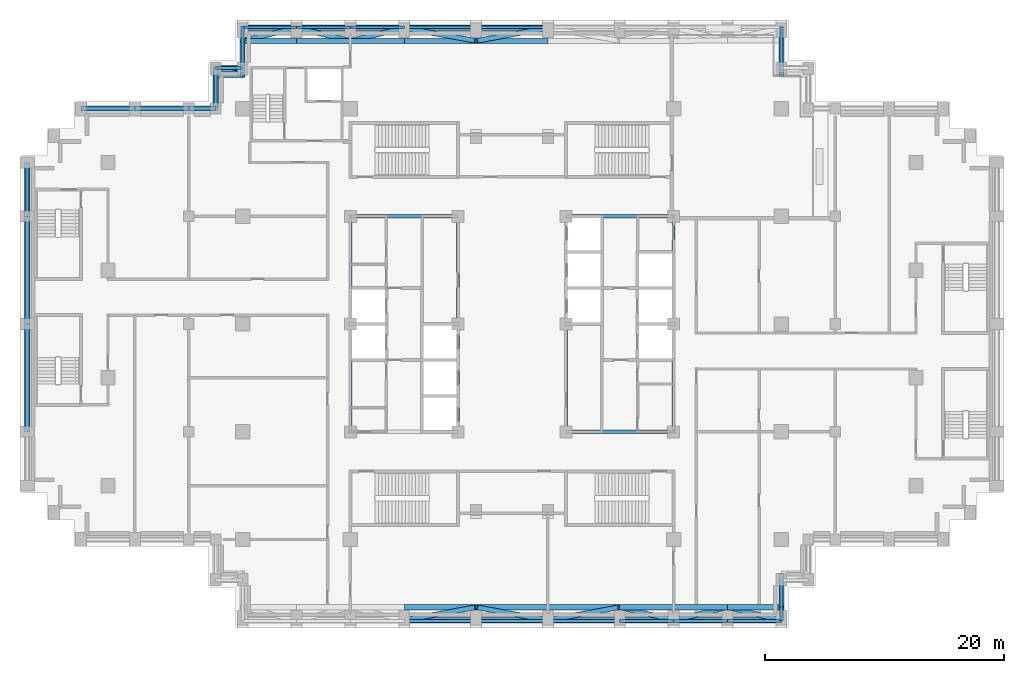
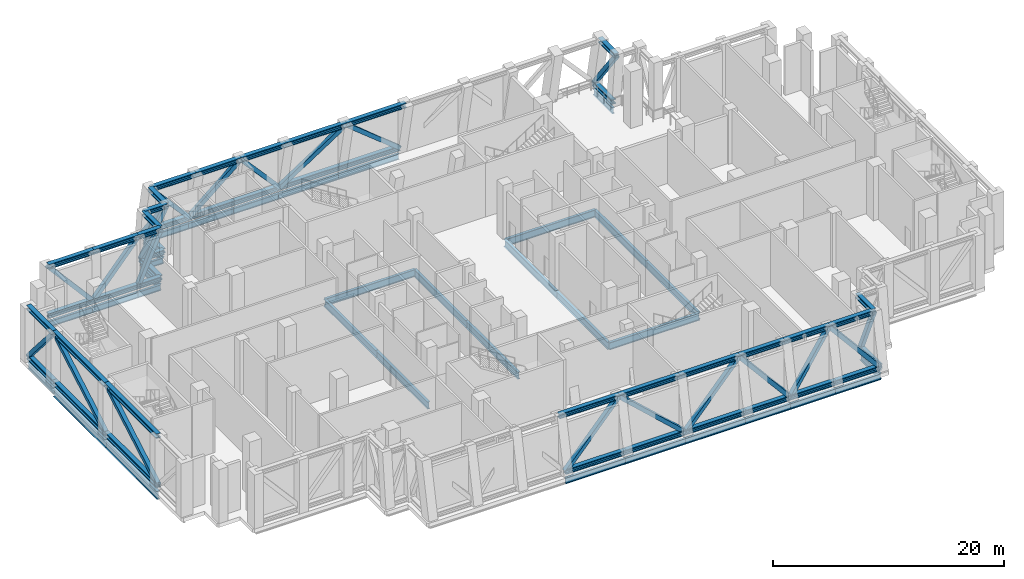
# One storey, part 2 of 14: 66 members, 33 beams.
"""IFC4 building model written with IfcOpenShell, lengths in metres."""

from ifc_helpers import new_model, si_unit, direction, frame, origin, origin_2d, place, context, subcontext, project, spatial, hollow_rectangle, i_section, extrude, material, material_profile, profile_set, type_object, element, save


model = new_model("IFC4")

# Units and contexts
model_context = context("Model", 3, precision=1e-05, world=origin(), true_north=direction((0.0, 1.0)))
body_context = subcontext(model_context, "Body", "Model", "MODEL_VIEW")
ifc_project = project(units=[si_unit("LENGTHUNIT", "METRE"), si_unit("AREAUNIT", "SQUARE_METRE"), si_unit("VOLUMEUNIT", "CUBIC_METRE"), si_unit("PLANEANGLEUNIT", "RADIAN"), si_unit("MASSUNIT", "GRAM", prefix="KILO")], contexts=[model_context])

# Site, building, storey
site_placement = place(None, origin())
site = spatial("IfcSite", under=ifc_project, at=site_placement, CompositionType="ELEMENT")
building_placement = place(site_placement, origin())
building = spatial("IfcBuilding", under=site, at=building_placement, Name="Corbelhall Arena Tower", CompositionType="ELEMENT")
storey_placement = place(building_placement, frame((0.0, 0.0, 120.0)))
storey = spatial("IfcBuildingStorey", under=building, at=storey_placement, Name="L22", CompositionType="ELEMENT", Elevation=120.0)

# Beams
ifc_material_1 = material(Name="Steel ASTM A992 Gr50", Category="steel")
ifc_material_profile_1 = material_profile(ifc_material_1, i_section(OverallWidth=0.2666015625, OverallDepth=0.761962890625, WebThickness=0.014404296875, FlangeThickness=0.021484375, at=origin_2d()))
ifc_profile_set_1 = profile_set([ifc_material_profile_1], Name="Steel ASTM A992 Gr50")
beam_type_1 = type_object("IfcBeamType", Name="ST-BEAM-W30x116", PredefinedType="BEAM", material=ifc_profile_set_1)
for number, where, z_axis, x_axis, name in (
    (1, (-13.5, -9.0, -0.781494140625), (0.0, 1.0, 0.0), (-1.0, 0.0, 0.0), "Beam CEW 1"),
    (2, (-13.5, 0.0, -0.781494140625), (0.0, 1.0, 0.0), (-1.0, 0.0, 0.0), "Beam CEW 2"),
    (3, (-4.5, -9.0, -0.781494140625), (0.0, 1.0, 0.0), (-1.0, 0.0, 0.0), "Beam CEW 3"),
    (4, (-4.5, 0.0, -0.781494140625), (0.0, 1.0, 0.0), (-1.0, 0.0, 0.0), "Beam CEW 4"),
    (5, (-13.5, 9.0, -0.781494140625), (1.0, 0.0, 0.0), (0.0, 1.0, 0.0), "Beam CEW 6"),
    (6, (4.5, -9.0, -0.781494140625), (0.0, 1.0, 0.0), (-1.0, 0.0, 0.0), "Beam CEE 7"),
    (7, (4.5, 0.0, -0.781494140625), (0.0, 1.0, 0.0), (-1.0, 0.0, 0.0), "Beam CEE 8"),
    (8, (13.5, -9.0, -0.781494140625), (0.0, 1.0, 0.0), (-1.0, 0.0, 0.0), "Beam CEE 9"),
    (9, (13.5, 0.0, -0.781494140625), (0.0, 1.0, 0.0), (-1.0, 0.0, 0.0), "Beam CEE 10"),
    (10, (4.5, -9.0, -0.781494140625), (1.0, 0.0, 0.0), (0.0, 1.0, 0.0), "Beam CEE 11"),
    (11, (4.5, 9.0, -0.781494140625), (1.0, 0.0, 0.0), (0.0, 1.0, 0.0), "Beam CEE 12"),
):
    element("IfcBeam", number, at=place(storey_placement, frame(where, z_axis=z_axis, x_axis=x_axis)), inside=storey, type_object=beam_type_1, Name=name, PredefinedType="BEAM", context=body_context, shape_type="SweptSolid", body=[
        extrude(i_section(OverallWidth=0.2666015625, OverallDepth=0.761962890625, WebThickness=0.014404296875, FlangeThickness=0.021484375, at=origin_2d()), origin(), (0.0, 0.0, 1.0), 9.0),
    ])

# Members
ifc_material_2 = material(Name="Steel ASTM A913 Gr65", Category="steel")
ifc_material_profile_2 = material_profile(ifc_material_2, i_section(OverallWidth=0.431884765625, OverallDepth=0.497802734375, WebThickness=0.0556640625, FlangeThickness=0.0888671875, at=origin_2d()))
ifc_profile_set_2 = profile_set([ifc_material_profile_2], Name="Steel ASTM A913 Gr65")
member_type_1 = type_object("IfcMemberType", Name="ST-CHORD-W14x500", PredefinedType="CHORD", material=ifc_profile_set_2)
for number, where, z_axis, x_axis, name in (
    (12, (-40.5, 0.0, 0.2490234375), (0.0, 1.0, 0.0), (-1.0, 0.0, 0.0), "Truss chord BC 1"),
    (13, (-40.5, 0.0, 5.451171875), (0.0, 1.0, 0.0), (-1.0, 0.0, 0.0), "Truss chord TC 1"),
):
    element("IfcMember", number, at=place(storey_placement, frame(where, z_axis=z_axis, x_axis=x_axis)), inside=storey, type_object=member_type_1, Name=name, PredefinedType="CHORD", context=body_context, shape_type="SweptSolid", body=[
        extrude(i_section(OverallWidth=0.431884765625, OverallDepth=0.497802734375, WebThickness=0.0556640625, FlangeThickness=0.0888671875, at=origin_2d()), origin(), (0.0, 0.0, 1.0), 9.0),
    ])
for number, where, z_axis, x_axis, name in (
    (14, (-40.5, 9.0, 0.2490234375), (0.0, 1.0, 0.0), (-1.0, 0.0, 0.0), "Truss chord BC 2"),
    (15, (-40.5, 9.0, 5.451171875), (0.0, 1.0, 0.0), (-1.0, 0.0, 0.0), "Truss chord TC 2"),
):
    element("IfcMember", number, at=place(storey_placement, frame(where, z_axis=z_axis, x_axis=x_axis)), inside=storey, type_object=member_type_1, Name=name, PredefinedType="CHORD", context=body_context, shape_type="SweptSolid", body=[
        extrude(i_section(OverallWidth=0.431884765625, OverallDepth=0.497802734375, WebThickness=0.0556640625, FlangeThickness=0.0888671875, at=origin_2d()), origin(), (0.0, 0.0, 1.0), 4.5),
    ])
for number, where, z_axis, x_axis, name in (
    (16, (-40.5, -9.0, 0.2490234375), (0.0, 1.0, 0.0), (-1.0, 0.0, 0.0), "Truss chord BC 3"),
    (17, (-40.5, -9.0, 5.451171875), (0.0, 1.0, 0.0), (-1.0, 0.0, 0.0), "Truss chord TC 3"),
):
    element("IfcMember", number, at=place(storey_placement, frame(where, z_axis=z_axis, x_axis=x_axis)), inside=storey, type_object=member_type_1, Name=name, PredefinedType="CHORD", context=body_context, shape_type="SweptSolid", body=[
        extrude(i_section(OverallWidth=0.431884765625, OverallDepth=0.497802734375, WebThickness=0.0556640625, FlangeThickness=0.0888671875, at=origin_2d()), origin(), (0.0, 0.0, 1.0), 9.0),
    ])
for number, where, z_axis, x_axis, name in (
    (18, (-31.5, 18.0, 0.2490234375), (1.0, 0.0, 0.0), (0.0, 1.0, 0.0), "Truss chord BC 5"),
    (19, (-31.5, 18.0, 5.451171875), (1.0, 0.0, 0.0), (0.0, 1.0, 0.0), "Truss chord TC 5"),
    (20, (-36.0, 18.0, 0.2490234375), (1.0, 0.0, 0.0), (0.0, 1.0, 0.0), "Truss chord BC 6"),
    (21, (-36.0, 18.0, 5.451171875), (1.0, 0.0, 0.0), (0.0, 1.0, 0.0), "Truss chord TC 6"),
):
    element("IfcMember", number, at=place(storey_placement, frame(where, z_axis=z_axis, x_axis=x_axis)), inside=storey, type_object=member_type_1, Name=name, PredefinedType="CHORD", context=body_context, shape_type="SweptSolid", body=[
        extrude(i_section(OverallWidth=0.431884765625, OverallDepth=0.497802734375, WebThickness=0.0556640625, FlangeThickness=0.0888671875, at=origin_2d()), origin(), (0.0, 0.0, 1.0), 4.5),
    ])
member_1_placement = place(storey_placement, frame((22.5, 24.750244140625, 0.2490234375), z_axis=(0.0, -1.0, 0.0), x_axis=(1.0, 0.0, 0.0)))
element("IfcMember", 22, at=member_1_placement, inside=storey, type_object=member_type_1, Name="Truss chord BC 21", PredefinedType="CHORD", context=body_context, shape_type="SweptSolid", body=[
    extrude(i_section(OverallWidth=0.431884765625, OverallDepth=0.497802734375, WebThickness=0.0556640625, FlangeThickness=0.0888671875, at=origin_2d()), origin(), (0.0, 0.0, 1.0), 3.375244140625),
])
member_2_placement = place(storey_placement, frame((22.5, 23.709716796875, 5.451171875), z_axis=(0.0, -1.0, 0.0), x_axis=(1.0, 0.0, 0.0)))
element("IfcMember", 23, at=member_2_placement, inside=storey, type_object=member_type_1, Name="Truss chord TC 21", PredefinedType="CHORD", context=body_context, shape_type="SweptSolid", body=[
    extrude(i_section(OverallWidth=0.431884765625, OverallDepth=0.497802734375, WebThickness=0.0556640625, FlangeThickness=0.0888671875, at=origin_2d()), origin(), (0.0, 0.0, 1.0), 2.854736328125),
])
for number, where, z_axis, x_axis, name in (
    (24, (-3.0, 24.74755859375, 0.2490234375), (1.0, 0.0, 0.0), (0.0, 1.0, 0.0), "Truss chord BC 22"),
    (25, (-3.0, 23.65234375, 5.451171875), (1.0, 0.0, 0.0), (0.0, 1.0, 0.0), "Truss chord TC 22"),
    (26, (-9.0, 24.74755859375, 0.2490234375), (1.0, 0.0, 0.0), (0.0, 1.0, 0.0), "Truss chord BC 23"),
    (27, (-9.0, 23.65234375, 5.451171875), (1.0, 0.0, 0.0), (0.0, 1.0, 0.0), "Truss chord TC 23"),
):
    element("IfcMember", number, at=place(storey_placement, frame(where, z_axis=z_axis, x_axis=x_axis)), inside=storey, type_object=member_type_1, Name=name, PredefinedType="CHORD", context=body_context, shape_type="SweptSolid", body=[
        extrude(i_section(OverallWidth=0.431884765625, OverallDepth=0.497802734375, WebThickness=0.0556640625, FlangeThickness=0.0888671875, at=origin_2d()), origin(), (0.0, 0.0, 1.0), 6.0),
    ])
for number, where, z_axis, x_axis, name in (
    (28, (-13.5, 24.74755859375, 0.2490234375), (1.0, 0.0, 0.0), (0.0, 1.0, 0.0), "Truss chord BC 24"),
    (29, (-13.5, 23.65234375, 5.451171875), (1.0, 0.0, 0.0), (0.0, 1.0, 0.0), "Truss chord TC 24"),
    (30, (-18.0, 24.74755859375, 0.2490234375), (1.0, 0.0, 0.0), (0.0, 1.0, 0.0), "Truss chord BC 25"),
    (31, (-18.0, 23.65234375, 5.451171875), (1.0, 0.0, 0.0), (0.0, 1.0, 0.0), "Truss chord TC 25"),
    (32, (-22.5, 24.74755859375, 0.2490234375), (1.0, 0.0, 0.0), (0.0, 1.0, 0.0), "Truss chord BC 26"),
    (33, (-22.5, 23.65234375, 5.451171875), (1.0, 0.0, 0.0), (0.0, 1.0, 0.0), "Truss chord TC 26"),
):
    element("IfcMember", number, at=place(storey_placement, frame(where, z_axis=z_axis, x_axis=x_axis)), inside=storey, type_object=member_type_1, Name=name, PredefinedType="CHORD", context=body_context, shape_type="SweptSolid", body=[
        extrude(i_section(OverallWidth=0.431884765625, OverallDepth=0.497802734375, WebThickness=0.0556640625, FlangeThickness=0.0888671875, at=origin_2d()), origin(), (0.0, 0.0, 1.0), 4.5),
    ])
for number, where, z_axis, x_axis, name in (
    (34, (3.0, -24.74755859375, 0.2490234375), (-1.0, 0.0, 0.0), (0.0, -1.0, 0.0), "Truss chord BC 27"),
    (35, (3.0, -23.65234375, 5.451171875), (-1.0, 0.0, 0.0), (0.0, -1.0, 0.0), "Truss chord TC 27"),
    (36, (9.0, -24.74755859375, 0.2490234375), (-1.0, 0.0, 0.0), (0.0, -1.0, 0.0), "Truss chord BC 28"),
    (37, (9.0, -23.65234375, 5.451171875), (-1.0, 0.0, 0.0), (0.0, -1.0, 0.0), "Truss chord TC 28"),
):
    element("IfcMember", number, at=place(storey_placement, frame(where, z_axis=z_axis, x_axis=x_axis)), inside=storey, type_object=member_type_1, Name=name, PredefinedType="CHORD", context=body_context, shape_type="SweptSolid", body=[
        extrude(i_section(OverallWidth=0.431884765625, OverallDepth=0.497802734375, WebThickness=0.0556640625, FlangeThickness=0.0888671875, at=origin_2d()), origin(), (0.0, 0.0, 1.0), 6.0),
    ])
for number, where, z_axis, x_axis, name in (
    (38, (13.5, -24.74755859375, 0.2490234375), (-1.0, 0.0, 0.0), (0.0, -1.0, 0.0), "Truss chord BC 29"),
    (39, (13.5, -23.65234375, 5.451171875), (-1.0, 0.0, 0.0), (0.0, -1.0, 0.0), "Truss chord TC 29"),
    (40, (18.0, -24.74755859375, 0.2490234375), (-1.0, 0.0, 0.0), (0.0, -1.0, 0.0), "Truss chord BC 30"),
    (41, (18.0, -23.65234375, 5.451171875), (-1.0, 0.0, 0.0), (0.0, -1.0, 0.0), "Truss chord TC 30"),
    (42, (22.5, -24.74755859375, 0.2490234375), (-1.0, 0.0, 0.0), (0.0, -1.0, 0.0), "Truss chord BC 31"),
    (43, (22.5, -23.65234375, 5.451171875), (-1.0, 0.0, 0.0), (0.0, -1.0, 0.0), "Truss chord TC 31"),
):
    element("IfcMember", number, at=place(storey_placement, frame(where, z_axis=z_axis, x_axis=x_axis)), inside=storey, type_object=member_type_1, Name=name, PredefinedType="CHORD", context=body_context, shape_type="SweptSolid", body=[
        extrude(i_section(OverallWidth=0.431884765625, OverallDepth=0.497802734375, WebThickness=0.0556640625, FlangeThickness=0.0888671875, at=origin_2d()), origin(), (0.0, 0.0, 1.0), 4.5),
    ])
for number, where, z_axis, x_axis, name in (
    (44, (-3.0, -24.74755859375, 0.2490234375), (-1.0, 0.0, 0.0), (0.0, -1.0, 0.0), "Truss chord BC 32"),
    (45, (-3.0, -23.65234375, 5.451171875), (-1.0, 0.0, 0.0), (0.0, -1.0, 0.0), "Truss chord TC 32"),
):
    element("IfcMember", number, at=place(storey_placement, frame(where, z_axis=z_axis, x_axis=x_axis)), inside=storey, type_object=member_type_1, Name=name, PredefinedType="CHORD", context=body_context, shape_type="SweptSolid", body=[
        extrude(i_section(OverallWidth=0.431884765625, OverallDepth=0.497802734375, WebThickness=0.0556640625, FlangeThickness=0.0888671875, at=origin_2d()), origin(), (0.0, 0.0, 1.0), 6.0),
    ])
for number, where, z_axis, x_axis, name in (
    (46, (-27.0, 18.0, 0.2490234375), (1.0, 0.0, 0.0), (0.0, 1.0, 0.0), "Truss chord BC 37"),
    (47, (-27.0, 18.0, 5.451171875), (1.0, 0.0, 0.0), (0.0, 1.0, 0.0), "Truss chord TC 37"),
):
    element("IfcMember", number, at=place(storey_placement, frame(where, z_axis=z_axis, x_axis=x_axis)), inside=storey, type_object=member_type_1, Name=name, PredefinedType="CHORD", context=body_context, shape_type="SweptSolid", body=[
        extrude(i_section(OverallWidth=0.431884765625, OverallDepth=0.497802734375, WebThickness=0.0556640625, FlangeThickness=0.0888671875, at=origin_2d()), origin(), (0.0, 0.0, 1.0), 2.25),
    ])
member_3_placement = place(storey_placement, frame((-22.5, 21.373779296875, 0.2490234375), z_axis=(0.0, 1.0, 0.0), x_axis=(-1.0, 0.0, 0.0)))
element("IfcMember", 48, at=member_3_placement, inside=storey, type_object=member_type_1, Name="Truss chord BC 42", PredefinedType="CHORD", context=body_context, shape_type="SweptSolid", body=[
    extrude(i_section(OverallWidth=0.431884765625, OverallDepth=0.497802734375, WebThickness=0.0556640625, FlangeThickness=0.0888671875, at=origin_2d()), origin(), (0.0, 0.0, 1.0), 3.373779296875),
])
member_4_placement = place(storey_placement, frame((-22.5, 20.826171875, 5.451171875), z_axis=(0.0, 1.0, 0.0), x_axis=(-1.0, 0.0, 0.0)))
element("IfcMember", 49, at=member_4_placement, inside=storey, type_object=member_type_1, Name="Truss chord TC 42", PredefinedType="CHORD", context=body_context, shape_type="SweptSolid", body=[
    extrude(i_section(OverallWidth=0.431884765625, OverallDepth=0.497802734375, WebThickness=0.0556640625, FlangeThickness=0.0888671875, at=origin_2d()), origin(), (0.0, 0.0, 1.0), 2.826171875),
])
for number, where, z_axis, x_axis, name in (
    (50, (-24.75, 21.373779296875, 0.2490234375), (1.0, 0.0, 0.0), (0.0, 1.0, 0.0), "Truss chord BC 43"),
    (51, (-24.75, 20.826171875, 5.451171875), (1.0, 0.0, 0.0), (0.0, 1.0, 0.0), "Truss chord TC 43"),
):
    element("IfcMember", number, at=place(storey_placement, frame(where, z_axis=z_axis, x_axis=x_axis)), inside=storey, type_object=member_type_1, Name=name, PredefinedType="CHORD", context=body_context, shape_type="SweptSolid", body=[
        extrude(i_section(OverallWidth=0.431884765625, OverallDepth=0.497802734375, WebThickness=0.0556640625, FlangeThickness=0.0888671875, at=origin_2d()), origin(), (0.0, 0.0, 1.0), 2.25),
    ])
member_5_placement = place(storey_placement, frame((-24.75, 18.0, 0.2490234375), z_axis=(0.0, 1.0, 0.0), x_axis=(-1.0, 0.0, 0.0)))
element("IfcMember", 52, at=member_5_placement, inside=storey, type_object=member_type_1, Name="Truss chord BC 44", PredefinedType="CHORD", context=body_context, shape_type="SweptSolid", body=[
    extrude(i_section(OverallWidth=0.431884765625, OverallDepth=0.497802734375, WebThickness=0.0556640625, FlangeThickness=0.0888671875, at=origin_2d()), origin(), (0.0, 0.0, 1.0), 3.373779296875),
])
member_6_placement = place(storey_placement, frame((-24.75, 18.0, 5.451171875), z_axis=(0.0, 1.0, 0.0), x_axis=(-1.0, 0.0, 0.0)))
element("IfcMember", 53, at=member_6_placement, inside=storey, type_object=member_type_1, Name="Truss chord TC 44", PredefinedType="CHORD", context=body_context, shape_type="SweptSolid", body=[
    extrude(i_section(OverallWidth=0.431884765625, OverallDepth=0.497802734375, WebThickness=0.0556640625, FlangeThickness=0.0888671875, at=origin_2d()), origin(), (0.0, 0.0, 1.0), 2.826171875),
])
member_7_placement = place(storey_placement, frame((22.5, -21.373779296875, 0.2490234375), z_axis=(0.0, -1.0, 0.0), x_axis=(1.0, 0.0, 0.0)))
element("IfcMember", 54, at=member_7_placement, inside=storey, type_object=member_type_1, Name="Truss chord BC 45", PredefinedType="CHORD", context=body_context, shape_type="SweptSolid", body=[
    extrude(i_section(OverallWidth=0.431884765625, OverallDepth=0.497802734375, WebThickness=0.0556640625, FlangeThickness=0.0888671875, at=origin_2d()), origin(), (0.0, 0.0, 1.0), 3.373779296875),
])
member_8_placement = place(storey_placement, frame((22.5, -20.826171875, 5.451171875), z_axis=(0.0, -1.0, 0.0), x_axis=(1.0, 0.0, 0.0)))
element("IfcMember", 55, at=member_8_placement, inside=storey, type_object=member_type_1, Name="Truss chord TC 45", PredefinedType="CHORD", context=body_context, shape_type="SweptSolid", body=[
    extrude(i_section(OverallWidth=0.431884765625, OverallDepth=0.497802734375, WebThickness=0.0556640625, FlangeThickness=0.0888671875, at=origin_2d()), origin(), (0.0, 0.0, 1.0), 2.826171875),
])

# Beams
ifc_material_profile_3 = material_profile(ifc_material_1, i_section(OverallWidth=0.23046875, OverallDepth=0.6171875, WebThickness=0.01318359375, FlangeThickness=0.022216796875, at=origin_2d()))
ifc_profile_set_3 = profile_set([ifc_material_profile_3], Name="Steel ASTM A992 Gr50")
beam_type_2 = type_object("IfcBeamType", Name="ST-SPANDREL-W24x94", PredefinedType="SPANDREL", material=ifc_profile_set_3)
for number, where, z_axis, x_axis, name in (
    (56, (-40.5, 9.0, -0.708984375), (0.0, 1.0, 0.0), (-1.0, 0.0, 0.0), "Beam SP 2"),
    (57, (-31.5, 18.0, -0.708984375), (1.0, 0.0, 0.0), (0.0, 1.0, 0.0), "Beam SP 5"),
    (58, (-36.0, 18.0, -0.708984375), (1.0, 0.0, 0.0), (0.0, 1.0, 0.0), "Beam SP 6"),
):
    element("IfcBeam", number, at=place(storey_placement, frame(where, z_axis=z_axis, x_axis=x_axis)), inside=storey, type_object=beam_type_2, Name=name, PredefinedType="SPANDREL", context=body_context, shape_type="SweptSolid", body=[
        extrude(i_section(OverallWidth=0.23046875, OverallDepth=0.6171875, WebThickness=0.01318359375, FlangeThickness=0.022216796875, at=origin_2d()), origin(), (0.0, 0.0, 1.0), 4.5),
    ])
beam_1_placement = place(storey_placement, frame((22.5, 24.800048828125, -0.708984375), z_axis=(0.0, -1.0, 0.0), x_axis=(1.0, 0.0, 0.0)))
element("IfcBeam", 59, at=beam_1_placement, inside=storey, type_object=beam_type_2, Name="Beam SP 21", PredefinedType="SPANDREL", context=body_context, shape_type="SweptSolid", body=[
    extrude(i_section(OverallWidth=0.23046875, OverallDepth=0.6171875, WebThickness=0.01318359375, FlangeThickness=0.022216796875, at=origin_2d()), origin(), (0.0, 0.0, 1.0), 3.400146484375),
])
for number, where, z_axis, x_axis, name in (
    (60, (-3.0, 24.800048828125, -0.708984375), (1.0, 0.0, 0.0), (0.0, 1.0, 0.0), "Beam SP 22"),
    (61, (-9.0, 24.800048828125, -0.708984375), (1.0, 0.0, 0.0), (0.0, 1.0, 0.0), "Beam SP 23"),
):
    element("IfcBeam", number, at=place(storey_placement, frame(where, z_axis=z_axis, x_axis=x_axis)), inside=storey, type_object=beam_type_2, Name=name, PredefinedType="SPANDREL", context=body_context, shape_type="SweptSolid", body=[
        extrude(i_section(OverallWidth=0.23046875, OverallDepth=0.6171875, WebThickness=0.01318359375, FlangeThickness=0.022216796875, at=origin_2d()), origin(), (0.0, 0.0, 1.0), 6.0),
    ])
for number, where, z_axis, x_axis, name in (
    (62, (-13.5, 24.800048828125, -0.708984375), (1.0, 0.0, 0.0), (0.0, 1.0, 0.0), "Beam SP 24"),
    (63, (-18.0, 24.800048828125, -0.708984375), (1.0, 0.0, 0.0), (0.0, 1.0, 0.0), "Beam SP 25"),
    (64, (-22.5, 24.800048828125, -0.708984375), (1.0, 0.0, 0.0), (0.0, 1.0, 0.0), "Beam SP 26"),
):
    element("IfcBeam", number, at=place(storey_placement, frame(where, z_axis=z_axis, x_axis=x_axis)), inside=storey, type_object=beam_type_2, Name=name, PredefinedType="SPANDREL", context=body_context, shape_type="SweptSolid", body=[
        extrude(i_section(OverallWidth=0.23046875, OverallDepth=0.6171875, WebThickness=0.01318359375, FlangeThickness=0.022216796875, at=origin_2d()), origin(), (0.0, 0.0, 1.0), 4.5),
    ])
for number, where, z_axis, x_axis, name in (
    (65, (3.0, -24.800048828125, -0.708984375), (-1.0, 0.0, 0.0), (0.0, -1.0, 0.0), "Beam SP 27"),
    (66, (9.0, -24.800048828125, -0.708984375), (-1.0, 0.0, 0.0), (0.0, -1.0, 0.0), "Beam SP 28"),
):
    element("IfcBeam", number, at=place(storey_placement, frame(where, z_axis=z_axis, x_axis=x_axis)), inside=storey, type_object=beam_type_2, Name=name, PredefinedType="SPANDREL", context=body_context, shape_type="SweptSolid", body=[
        extrude(i_section(OverallWidth=0.23046875, OverallDepth=0.6171875, WebThickness=0.01318359375, FlangeThickness=0.022216796875, at=origin_2d()), origin(), (0.0, 0.0, 1.0), 6.0),
    ])
for number, where, z_axis, x_axis, name in (
    (67, (13.5, -24.800048828125, -0.708984375), (-1.0, 0.0, 0.0), (0.0, -1.0, 0.0), "Beam SP 29"),
    (68, (18.0, -24.800048828125, -0.708984375), (-1.0, 0.0, 0.0), (0.0, -1.0, 0.0), "Beam SP 30"),
    (69, (22.5, -24.800048828125, -0.708984375), (-1.0, 0.0, 0.0), (0.0, -1.0, 0.0), "Beam SP 31"),
):
    element("IfcBeam", number, at=place(storey_placement, frame(where, z_axis=z_axis, x_axis=x_axis)), inside=storey, type_object=beam_type_2, Name=name, PredefinedType="SPANDREL", context=body_context, shape_type="SweptSolid", body=[
        extrude(i_section(OverallWidth=0.23046875, OverallDepth=0.6171875, WebThickness=0.01318359375, FlangeThickness=0.022216796875, at=origin_2d()), origin(), (0.0, 0.0, 1.0), 4.5),
    ])
beam_2_placement = place(storey_placement, frame((-3.0, -24.800048828125, -0.708984375), z_axis=(-1.0, 0.0, 0.0), x_axis=(0.0, -1.0, 0.0)))
element("IfcBeam", 70, at=beam_2_placement, inside=storey, type_object=beam_type_2, Name="Beam SP 32", PredefinedType="SPANDREL", context=body_context, shape_type="SweptSolid", body=[
    extrude(i_section(OverallWidth=0.23046875, OverallDepth=0.6171875, WebThickness=0.01318359375, FlangeThickness=0.022216796875, at=origin_2d()), origin(), (0.0, 0.0, 1.0), 6.0),
])
beam_3_placement = place(storey_placement, frame((-27.0, 18.0, -0.708984375), z_axis=(1.0, 0.0, 0.0), x_axis=(0.0, 1.0, 0.0)))
element("IfcBeam", 71, at=beam_3_placement, inside=storey, type_object=beam_type_2, Name="Beam SP 37", PredefinedType="SPANDREL", context=body_context, shape_type="SweptSolid", body=[
    extrude(i_section(OverallWidth=0.23046875, OverallDepth=0.6171875, WebThickness=0.01318359375, FlangeThickness=0.022216796875, at=origin_2d()), origin(), (0.0, 0.0, 1.0), 2.25),
])
beam_4_placement = place(storey_placement, frame((-22.5, 21.39990234375, -0.708984375), z_axis=(0.0, 1.0, 0.0), x_axis=(-1.0, 0.0, 0.0)))
element("IfcBeam", 72, at=beam_4_placement, inside=storey, type_object=beam_type_2, Name="Beam SP 42", PredefinedType="SPANDREL", context=body_context, shape_type="SweptSolid", body=[
    extrude(i_section(OverallWidth=0.23046875, OverallDepth=0.6171875, WebThickness=0.01318359375, FlangeThickness=0.022216796875, at=origin_2d()), origin(), (0.0, 0.0, 1.0), 3.400146484375),
])
beam_5_placement = place(storey_placement, frame((-24.75, 21.39990234375, -0.708984375), z_axis=(1.0, 0.0, 0.0), x_axis=(0.0, 1.0, 0.0)))
element("IfcBeam", 73, at=beam_5_placement, inside=storey, type_object=beam_type_2, Name="Beam SP 43", PredefinedType="SPANDREL", context=body_context, shape_type="SweptSolid", body=[
    extrude(i_section(OverallWidth=0.23046875, OverallDepth=0.6171875, WebThickness=0.01318359375, FlangeThickness=0.022216796875, at=origin_2d()), origin(), (0.0, 0.0, 1.0), 2.25),
])
beam_6_placement = place(storey_placement, frame((-24.75, 18.0, -0.708984375), z_axis=(0.0, 1.0, 0.0), x_axis=(-1.0, 0.0, 0.0)))
element("IfcBeam", 74, at=beam_6_placement, inside=storey, type_object=beam_type_2, Name="Beam SP 44", PredefinedType="SPANDREL", context=body_context, shape_type="SweptSolid", body=[
    extrude(i_section(OverallWidth=0.23046875, OverallDepth=0.6171875, WebThickness=0.01318359375, FlangeThickness=0.022216796875, at=origin_2d()), origin(), (0.0, 0.0, 1.0), 3.39990234375),
])
beam_7_placement = place(storey_placement, frame((22.5, -21.39990234375, -0.708984375), z_axis=(0.0, -1.0, 0.0), x_axis=(1.0, 0.0, 0.0)))
element("IfcBeam", 75, at=beam_7_placement, inside=storey, type_object=beam_type_2, Name="Beam SP 45", PredefinedType="SPANDREL", context=body_context, shape_type="SweptSolid", body=[
    extrude(i_section(OverallWidth=0.23046875, OverallDepth=0.6171875, WebThickness=0.01318359375, FlangeThickness=0.022216796875, at=origin_2d()), origin(), (0.0, 0.0, 1.0), 3.400146484375),
])
ifc_material_profile_4 = material_profile(ifc_material_1, i_section(OverallWidth=0.2919921875, OverallDepth=0.845703125, WebThickness=0.015380859375, FlangeThickness=0.0244140625, at=origin_2d()))
ifc_profile_set_4 = profile_set([ifc_material_profile_4], Name="Steel ASTM A992 Gr50")
beam_type_3 = type_object("IfcBeamType", Name="ST-SPANDREL-W33x141", PredefinedType="SPANDREL", material=ifc_profile_set_4)
for number, where, z_axis, x_axis, name in (
    (76, (-40.5, 0.0, -0.8232421875), (0.0, 1.0, 0.0), (-1.0, 0.0, 0.0), "Beam SP 1"),
    (77, (-40.5, -9.0, -0.8232421875), (0.0, 1.0, 0.0), (-1.0, 0.0, 0.0), "Beam SP 3"),
):
    element("IfcBeam", number, at=place(storey_placement, frame(where, z_axis=z_axis, x_axis=x_axis)), inside=storey, type_object=beam_type_3, Name=name, PredefinedType="SPANDREL", context=body_context, shape_type="SweptSolid", body=[
        extrude(i_section(OverallWidth=0.2919921875, OverallDepth=0.845703125, WebThickness=0.015380859375, FlangeThickness=0.0244140625, at=origin_2d()), origin(), (0.0, 0.0, 1.0), 9.0),
    ])

# Members
ifc_material_3 = material(Name="Steel ASTM A500 Gr C", Category="steel")
ifc_material_profile_5 = material_profile(ifc_material_3, hollow_rectangle(XDim=0.406494140625, YDim=0.406494140625, WallThickness=0.0146484375, at=origin_2d()))
ifc_profile_set_5 = profile_set([ifc_material_profile_5], Name="Steel ASTM A500 Gr C")
member_type_2 = type_object("IfcMemberType", Name="ST-STRUT-HSS16x16x5/8", PredefinedType="STRUT", material=ifc_profile_set_5)
member_9_placement = place(storey_placement, frame((-40.5, 0.0, 0.2490234375), z_axis=(0.0, 0.865775533871, 0.500432537861), x_axis=(-1.0, 0.0, 0.0)))
element("IfcMember", 78, at=member_9_placement, inside=storey, type_object=member_type_2, Name="Truss diagonal 1", PredefinedType="STRUT", context=body_context, shape_type="SweptSolid", body=[
    extrude(hollow_rectangle(XDim=0.406494140625, YDim=0.406494140625, WallThickness=0.0146484375, at=origin_2d()), origin(), (0.0, 0.0, 1.0), 10.395263671875),
])
member_10_placement = place(storey_placement, frame((-40.5, 13.5, 0.2490234375), z_axis=(0.0, -0.654222176142, 0.756302415866), x_axis=(1.0, 0.0, 0.0)))
element("IfcMember", 79, at=member_10_placement, inside=storey, type_object=member_type_2, Name="Truss diagonal 2", PredefinedType="STRUT", context=body_context, shape_type="SweptSolid", body=[
    extrude(hollow_rectangle(XDim=0.406494140625, YDim=0.406494140625, WallThickness=0.0146484375, at=origin_2d()), origin(), (0.0, 0.0, 1.0), 6.87841796875),
])
member_11_placement = place(storey_placement, frame((-40.5, -9.0, 0.2490234375), z_axis=(0.0, 0.865775533871, 0.500432537861), x_axis=(-1.0, 0.0, 0.0)))
element("IfcMember", 80, at=member_11_placement, inside=storey, type_object=member_type_2, Name="Truss diagonal 3", PredefinedType="STRUT", context=body_context, shape_type="SweptSolid", body=[
    extrude(hollow_rectangle(XDim=0.406494140625, YDim=0.406494140625, WallThickness=0.0146484375, at=origin_2d()), origin(), (0.0, 0.0, 1.0), 10.395263671875),
])
for number, where, z_axis, x_axis, name in (
    (81, (-31.5, 18.0, 0.2490234375), (0.654222176142, 0.0, 0.756302415866), (0.0, 1.0, 0.0), "Truss diagonal 5"),
    (82, (-31.5, 18.0, 0.2490234375), (-0.654222176142, 0.0, 0.756302415866), (0.0, -1.0, 0.0), "Truss diagonal 6"),
):
    element("IfcMember", number, at=place(storey_placement, frame(where, z_axis=z_axis, x_axis=x_axis)), inside=storey, type_object=member_type_2, Name=name, PredefinedType="STRUT", context=body_context, shape_type="SweptSolid", body=[
        extrude(hollow_rectangle(XDim=0.406494140625, YDim=0.406494140625, WallThickness=0.0146484375, at=origin_2d()), origin(), (0.0, 0.0, 1.0), 6.87841796875),
    ])
member_12_placement = place(storey_placement, frame((22.5, 24.750244140625, 0.2490234375), z_axis=(0.0, -0.599374709018, 0.800468586635), x_axis=(1.0, 0.0, 0.0)))
element("IfcMember", 83, at=member_12_placement, inside=storey, type_object=member_type_2, Name="Truss diagonal 21", PredefinedType="STRUT", context=body_context, shape_type="SweptSolid", body=[
    extrude(hollow_rectangle(XDim=0.406494140625, YDim=0.406494140625, WallThickness=0.0146484375, at=origin_2d()), origin(), (0.0, 0.0, 1.0), 6.498779296875),
])
for number, where, z_axis, x_axis, name in (
    (84, (3.0, 24.74755859375, 0.2490234375), (-0.748470450084, -0.13662265784, 0.64894239707), (0.179568765081, -0.983745423678, 0.0), "Truss diagonal 22"),
    (85, (-9.0, 24.74755859375, 0.2490234375), (0.748470450084, -0.13662265784, 0.64894239707), (0.179568765081, 0.983745423678, 0.0), "Truss diagonal 23"),
):
    element("IfcMember", number, at=place(storey_placement, frame(where, z_axis=z_axis, x_axis=x_axis)), inside=storey, type_object=member_type_2, Name=name, PredefinedType="STRUT", context=body_context, shape_type="SweptSolid", body=[
        extrude(hollow_rectangle(XDim=0.406494140625, YDim=0.406494140625, WallThickness=0.0146484375, at=origin_2d()), origin(), (0.0, 0.0, 1.0), 8.016357421875),
    ])
for number, where, z_axis, x_axis, name in (
    (86, (-9.0, 24.74755859375, 0.2490234375), (-0.646083459318, -0.157244487766, 0.746893790752), (0.23647801965, -0.97163683865, 0.0), "Truss diagonal 24"),
    (87, (-18.0, 24.74755859375, 0.2490234375), (0.646083459318, -0.157244487766, 0.746893790752), (0.23647801965, 0.97163683865, 0.0), "Truss diagonal 25"),
    (88, (-18.0, 24.74755859375, 0.2490234375), (-0.646083459318, -0.157244487766, 0.746893790752), (0.23647801965, -0.97163683865, 0.0), "Truss diagonal 26"),
):
    element("IfcMember", number, at=place(storey_placement, frame(where, z_axis=z_axis, x_axis=x_axis)), inside=storey, type_object=member_type_2, Name=name, PredefinedType="STRUT", context=body_context, shape_type="SweptSolid", body=[
        extrude(hollow_rectangle(XDim=0.406494140625, YDim=0.406494140625, WallThickness=0.0146484375, at=origin_2d()), origin(), (0.0, 0.0, 1.0), 6.965087890625),
    ])
for number, where, z_axis, x_axis, name in (
    (89, (3.0, -24.74755859375, 0.2490234375), (-0.748470450084, 0.13662265784, 0.64894239707), (-0.179568765081, -0.983745423678, 0.0), "Truss diagonal 27"),
    (90, (3.0, -24.74755859375, 0.2490234375), (0.748470450084, 0.13662265784, 0.64894239707), (-0.179568765081, 0.983745423678, 0.0), "Truss diagonal 28"),
):
    element("IfcMember", number, at=place(storey_placement, frame(where, z_axis=z_axis, x_axis=x_axis)), inside=storey, type_object=member_type_2, Name=name, PredefinedType="STRUT", context=body_context, shape_type="SweptSolid", body=[
        extrude(hollow_rectangle(XDim=0.406494140625, YDim=0.406494140625, WallThickness=0.0146484375, at=origin_2d()), origin(), (0.0, 0.0, 1.0), 8.016357421875),
    ])
for number, where, z_axis, x_axis, name in (
    (91, (13.5, -24.74755859375, 0.2490234375), (-0.646083459318, 0.157244487766, 0.746893790752), (-0.23647801965, -0.97163683865, 0.0), "Truss diagonal 29"),
    (92, (13.5, -24.74755859375, 0.2490234375), (0.646083459318, 0.157244487766, 0.746893790752), (-0.23647801965, 0.97163683865, 0.0), "Truss diagonal 30"),
    (93, (22.5, -24.74755859375, 0.2490234375), (-0.646083459318, 0.157244487766, 0.746893790752), (-0.23647801965, -0.97163683865, 0.0), "Truss diagonal 31"),
):
    element("IfcMember", number, at=place(storey_placement, frame(where, z_axis=z_axis, x_axis=x_axis)), inside=storey, type_object=member_type_2, Name=name, PredefinedType="STRUT", context=body_context, shape_type="SweptSolid", body=[
        extrude(hollow_rectangle(XDim=0.406494140625, YDim=0.406494140625, WallThickness=0.0146484375, at=origin_2d()), origin(), (0.0, 0.0, 1.0), 6.965087890625),
    ])
member_13_placement = place(storey_placement, frame((-9.0, -24.74755859375, 0.2490234375), z_axis=(0.748470450084, 0.13662265784, 0.64894239707), x_axis=(-0.179568765081, 0.983745423678, 0.0)))
element("IfcMember", 94, at=member_13_placement, inside=storey, type_object=member_type_2, Name="Truss diagonal 32", PredefinedType="STRUT", context=body_context, shape_type="SweptSolid", body=[
    extrude(hollow_rectangle(XDim=0.406494140625, YDim=0.406494140625, WallThickness=0.0146484375, at=origin_2d()), origin(), (0.0, 0.0, 1.0), 8.016357421875),
])
member_14_placement = place(storey_placement, frame((-27.0, 18.0, 0.2490234375), z_axis=(0.396973919138, 0.0, 0.917829890298), x_axis=(0.0, 1.0, 0.0)))
element("IfcMember", 95, at=member_14_placement, inside=storey, type_object=member_type_2, Name="Truss diagonal 37", PredefinedType="STRUT", context=body_context, shape_type="SweptSolid", body=[
    extrude(hollow_rectangle(XDim=0.406494140625, YDim=0.406494140625, WallThickness=0.0146484375, at=origin_2d()), origin(), (0.0, 0.0, 1.0), 5.66796875),
])
member_15_placement = place(storey_placement, frame((-22.5, 24.74755859375, 0.2490234375), z_axis=(0.0, -0.6019409914, 0.798540570586), x_axis=(1.0, 0.0, 0.0)))
element("IfcMember", 96, at=member_15_placement, inside=storey, type_object=member_type_2, Name="Truss diagonal 42", PredefinedType="STRUT", context=body_context, shape_type="SweptSolid", body=[
    extrude(hollow_rectangle(XDim=0.406494140625, YDim=0.406494140625, WallThickness=0.0146484375, at=origin_2d()), origin(), (0.0, 0.0, 1.0), 6.5146484375),
])
member_16_placement = place(storey_placement, frame((-24.75, 21.373779296875, 0.2490234375), z_axis=(0.395133986222, -0.096168134885, 0.913575844013), x_axis=(0.23647801965, 0.97163683865, 0.0)))
element("IfcMember", 97, at=member_16_placement, inside=storey, type_object=member_type_2, Name="Truss diagonal 43", PredefinedType="STRUT", context=body_context, shape_type="SweptSolid", body=[
    extrude(hollow_rectangle(XDim=0.406494140625, YDim=0.406494140625, WallThickness=0.0146484375, at=origin_2d()), origin(), (0.0, 0.0, 1.0), 5.6943359375),
])
member_17_placement = place(storey_placement, frame((-24.75, 21.373779296875, 0.2490234375), z_axis=(0.0, -0.544124439017, 0.839004526129), x_axis=(1.0, 0.0, 0.0)))
element("IfcMember", 98, at=member_17_placement, inside=storey, type_object=member_type_2, Name="Truss diagonal 44", PredefinedType="STRUT", context=body_context, shape_type="SweptSolid", body=[
    extrude(hollow_rectangle(XDim=0.406494140625, YDim=0.406494140625, WallThickness=0.0146484375, at=origin_2d()), origin(), (0.0, 0.0, 1.0), 6.200439453125),
])
member_18_placement = place(storey_placement, frame((22.5, -21.373779296875, 0.2490234375), z_axis=(0.0, -0.40120667639, 0.91598755604), x_axis=(1.0, 0.0, 0.0)))
element("IfcMember", 99, at=member_18_placement, inside=storey, type_object=member_type_2, Name="Truss diagonal 45", PredefinedType="STRUT", context=body_context, shape_type="SweptSolid", body=[
    extrude(hollow_rectangle(XDim=0.406494140625, YDim=0.406494140625, WallThickness=0.0146484375, at=origin_2d()), origin(), (0.0, 0.0, 1.0), 5.67919921875),
])

save(model, "model.ifc")
